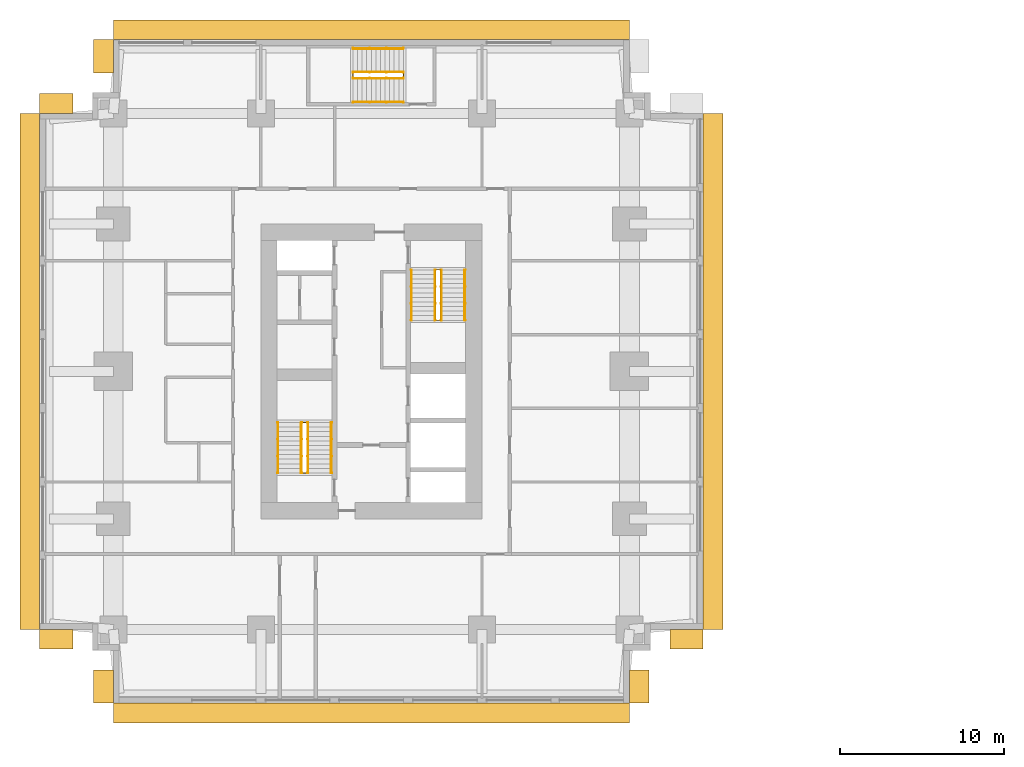
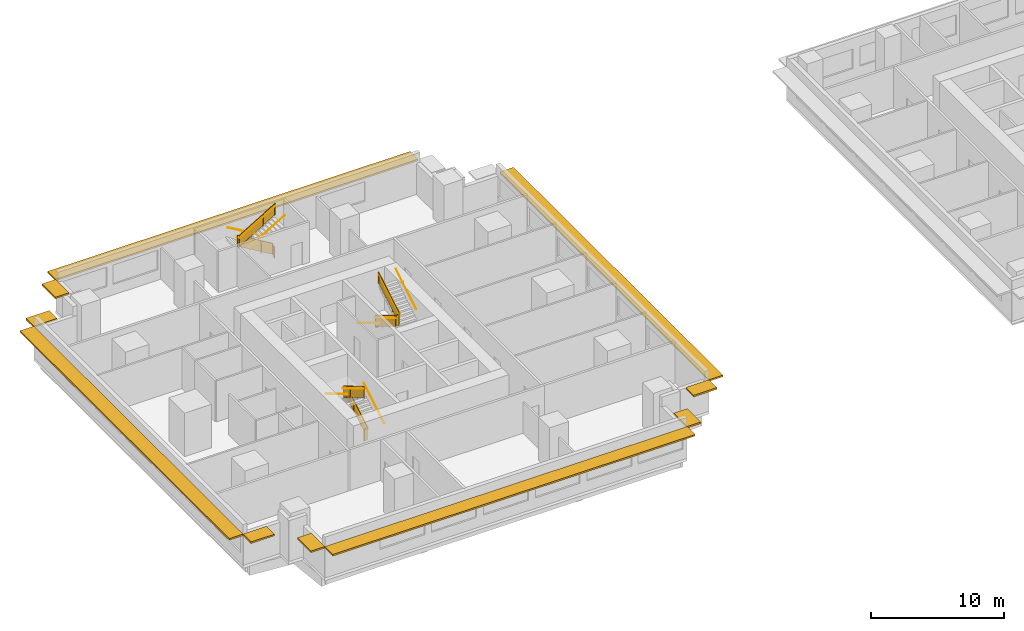
# One storey, part 10 of 11: 15 railings, 10 shading devices.
"""IFC4 building model written with IfcOpenShell, lengths in metres."""

from ifc_helpers import new_model, si_unit, direction, frame, origin, origin_2d, place, context, subcontext, project, spatial, polyline, rectangle, circle, outline, extrude, material, layer, layer_set, type_object, element, save


model = new_model("IFC4")

# Units and contexts
model_context = context("Model", 3, precision=1e-05, world=origin(), true_north=direction((0.0, 1.0)))
body_context = subcontext(model_context, "Body", "Model", "MODEL_VIEW")
ifc_project = project(units=[si_unit("LENGTHUNIT", "METRE"), si_unit("AREAUNIT", "SQUARE_METRE"), si_unit("VOLUMEUNIT", "CUBIC_METRE"), si_unit("PLANEANGLEUNIT", "RADIAN"), si_unit("MASSUNIT", "GRAM", prefix="KILO")], contexts=[model_context])

# Site, building, storey
site_placement = place(None, origin())
site = spatial("IfcSite", under=ifc_project, at=site_placement, CompositionType="ELEMENT")
building_placement = place(site_placement, origin())
building = spatial("IfcBuilding", under=site, at=building_placement, Name="Namib Vertical Campus", CompositionType="ELEMENT")
storey_placement = place(building_placement, frame((0.0, 0.0, 177.0)))
storey = spatial("IfcBuildingStorey", under=building, at=storey_placement, Name="L41", CompositionType="ELEMENT", Elevation=177.0)

# Railings
ifc_material_1 = material(Name="Steel handrail", Category="steel")
railing_type_1 = type_object("IfcRailingType", Name="Handrail 900", PredefinedType="HANDRAIL", material=ifc_material_1)
railing_1_placement = place(storey_placement, frame((17.800048828125, 14.050048828125, 0.166748046875)))
element("IfcRailing", 1, at=railing_1_placement, inside=storey, type_object=railing_type_1, Name="Handrail HR1 A-S1 L41 1", PredefinedType="HANDRAIL", context=body_context, shape_type="SweptSolid", body=[
    extrude(circle(Radius=0.02392578125, at=origin_2d()), frame((0.0, 0.0, 0.8759765625), z_axis=(0.0, 0.859290745958, 0.51148745235), x_axis=(-1.0, 0.0, 0.0)), (0.0, 0.0, 1.0), 3.584228515625),
    extrude(circle(Radius=0.008056640625, at=origin_2d()), frame((0.0, 0.0, 0.8759765625), z_axis=(1.0, 0.0, 0.0), x_axis=(0.0, 0.0, 1.0)), (0.0, 0.0, 1.0), 0.050048828125),
    extrude(circle(Radius=0.008056640625, at=origin_2d()), frame((0.0, 1.026611328125, 1.48681640625), z_axis=(1.0, 0.0, 0.0), x_axis=(0.0, 0.0, 1.0)), (0.0, 0.0, 1.0), 0.050048828125),
    extrude(circle(Radius=0.008056640625, at=origin_2d()), frame((0.0, 2.05322265625, 2.09814453125), z_axis=(1.0, 0.0, 0.0), x_axis=(0.0, 0.0, 1.0)), (0.0, 0.0, 1.0), 0.050048828125),
    extrude(circle(Radius=0.008056640625, at=origin_2d()), frame((0.0, 3.079833984375, 2.708984375), z_axis=(1.0, 0.0, 0.0), x_axis=(0.0, 0.0, 1.0)), (0.0, 0.0, 1.0), 0.050048828125),
])
railing_2_placement = place(storey_placement, frame((14.550048828125, 17.1298828125, 2.166748046875)))
element("IfcRailing", 2, at=railing_2_placement, inside=storey, type_object=railing_type_1, Name="Handrail HR1 A-S1 L41 2", PredefinedType="HANDRAIL", context=body_context, shape_type="SweptSolid", body=[
    extrude(circle(Radius=0.02392578125, at=origin_2d()), frame((0.0, 0.0, 0.8759765625), z_axis=(0.0, -0.859290745958, 0.51148745235), x_axis=(1.0, 0.0, 0.0)), (0.0, 0.0, 1.0), 3.584228515625),
    extrude(circle(Radius=0.008056640625, at=origin_2d()), frame((0.0, 0.0, 0.8759765625), z_axis=(-1.0, 0.0, 0.0), x_axis=(0.0, 0.0, 1.0)), (0.0, 0.0, 1.0), 0.050048828125),
    extrude(circle(Radius=0.008056640625, at=origin_2d()), frame((0.0, -1.026611328125, 1.48681640625), z_axis=(-1.0, 0.0, 0.0), x_axis=(0.0, 0.0, 1.0)), (0.0, 0.0, 1.0), 0.050048828125),
    extrude(circle(Radius=0.008056640625, at=origin_2d()), frame((0.0, -2.05322265625, 2.09814453125), z_axis=(-1.0, 0.0, 0.0), x_axis=(0.0, 0.0, 1.0)), (0.0, 0.0, 1.0), 0.050048828125),
    extrude(circle(Radius=0.008056640625, at=origin_2d()), frame((0.0, -3.079833984375, 2.708984375), z_axis=(-1.0, 0.0, 0.0), x_axis=(0.0, 0.0, 1.0)), (0.0, 0.0, 1.0), 0.050048828125),
])
railing_3_placement = place(storey_placement, frame((16.375, 14.050048828125, 0.166748046875)))
element("IfcRailing", 3, at=railing_3_placement, inside=storey, type_object=railing_type_1, Name="Handrail HR1 A-S1 L41 1 at the well", PredefinedType="HANDRAIL", context=body_context, shape_type="SweptSolid", body=[
    extrude(circle(Radius=0.02392578125, at=origin_2d()), frame((0.0, 0.0, 0.8759765625), z_axis=(0.0, 0.859290745958, 0.51148745235), x_axis=(-1.0, 0.0, 0.0)), (0.0, 0.0, 1.0), 3.584228515625),
    extrude(circle(Radius=0.008056640625, at=origin_2d()), frame((0.0, 0.0, 0.8759765625), z_axis=(-1.0, 0.0, 0.0), x_axis=(0.0, 0.0, 1.0)), (0.0, 0.0, 1.0), 0.0400390625),
    extrude(circle(Radius=0.008056640625, at=origin_2d()), frame((0.0, 1.026611328125, 1.48681640625), z_axis=(-1.0, 0.0, 0.0), x_axis=(0.0, 0.0, 1.0)), (0.0, 0.0, 1.0), 0.0400390625),
    extrude(circle(Radius=0.008056640625, at=origin_2d()), frame((0.0, 2.05322265625, 2.09814453125), z_axis=(-1.0, 0.0, 0.0), x_axis=(0.0, 0.0, 1.0)), (0.0, 0.0, 1.0), 0.0400390625),
    extrude(circle(Radius=0.008056640625, at=origin_2d()), frame((0.0, 3.079833984375, 2.708984375), z_axis=(-1.0, 0.0, 0.0), x_axis=(0.0, 0.0, 1.0)), (0.0, 0.0, 1.0), 0.0400390625),
])
railing_4_placement = place(storey_placement, frame((15.97509765625, 17.1298828125, 2.166748046875)))
element("IfcRailing", 4, at=railing_4_placement, inside=storey, type_object=railing_type_1, Name="Handrail HR1 A-S1 L41 2 at the well", PredefinedType="HANDRAIL", context=body_context, shape_type="SweptSolid", body=[
    extrude(circle(Radius=0.02392578125, at=origin_2d()), frame((0.0, 0.0, 0.8759765625), z_axis=(0.0, -0.859290745958, 0.51148745235), x_axis=(1.0, 0.0, 0.0)), (0.0, 0.0, 1.0), 3.584228515625),
    extrude(circle(Radius=0.008056640625, at=origin_2d()), frame((0.0, 0.0, 0.8759765625), z_axis=(1.0, 0.0, 0.0), x_axis=(0.0, 0.0, 1.0)), (0.0, 0.0, 1.0), 0.0400390625),
    extrude(circle(Radius=0.008056640625, at=origin_2d()), frame((0.0, -1.026611328125, 1.48681640625), z_axis=(1.0, 0.0, 0.0), x_axis=(0.0, 0.0, 1.0)), (0.0, 0.0, 1.0), 0.0400390625),
    extrude(circle(Radius=0.008056640625, at=origin_2d()), frame((0.0, -2.05322265625, 2.09814453125), z_axis=(1.0, 0.0, 0.0), x_axis=(0.0, 0.0, 1.0)), (0.0, 0.0, 1.0), 0.0400390625),
    extrude(circle(Radius=0.008056640625, at=origin_2d()), frame((0.0, -3.079833984375, 2.708984375), z_axis=(1.0, 0.0, 0.0), x_axis=(0.0, 0.0, 1.0)), (0.0, 0.0, 1.0), 0.0400390625),
])
railing_5_placement = place(storey_placement, frame((22.699951171875, 26.449951171875, 0.166748046875)))
element("IfcRailing", 5, at=railing_5_placement, inside=storey, type_object=railing_type_1, Name="Handrail HR1 A-S2 L41 1", PredefinedType="HANDRAIL", context=body_context, shape_type="SweptSolid", body=[
    extrude(circle(Radius=0.02392578125, at=origin_2d()), frame((0.0, 0.0, 0.8759765625), z_axis=(0.0, -0.859290745958, 0.51148745235), x_axis=(1.0, 0.0, 0.0)), (0.0, 0.0, 1.0), 3.584228515625),
    extrude(circle(Radius=0.008056640625, at=origin_2d()), frame((0.0, 0.0, 0.8759765625), z_axis=(-1.0, 0.0, 0.0), x_axis=(0.0, 0.0, 1.0)), (0.0, 0.0, 1.0), 0.050048828125),
    extrude(circle(Radius=0.008056640625, at=origin_2d()), frame((0.0, -1.026611328125, 1.48681640625), z_axis=(-1.0, 0.0, 0.0), x_axis=(0.0, 0.0, 1.0)), (0.0, 0.0, 1.0), 0.050048828125),
    extrude(circle(Radius=0.008056640625, at=origin_2d()), frame((0.0, -2.05322265625, 2.09814453125), z_axis=(-1.0, 0.0, 0.0), x_axis=(0.0, 0.0, 1.0)), (0.0, 0.0, 1.0), 0.050048828125),
    extrude(circle(Radius=0.008056640625, at=origin_2d()), frame((0.0, -3.079833984375, 2.708984375), z_axis=(-1.0, 0.0, 0.0), x_axis=(0.0, 0.0, 1.0)), (0.0, 0.0, 1.0), 0.050048828125),
])
railing_6_placement = place(storey_placement, frame((25.949951171875, 23.3701171875, 2.166748046875)))
element("IfcRailing", 6, at=railing_6_placement, inside=storey, type_object=railing_type_1, Name="Handrail HR1 A-S2 L41 2", PredefinedType="HANDRAIL", context=body_context, shape_type="SweptSolid", body=[
    extrude(circle(Radius=0.02392578125, at=origin_2d()), frame((0.0, 0.0, 0.8759765625), z_axis=(0.0, 0.859290745958, 0.51148745235), x_axis=(-1.0, 0.0, 0.0)), (0.0, 0.0, 1.0), 3.584228515625),
    extrude(circle(Radius=0.008056640625, at=origin_2d()), frame((0.0, 0.0, 0.8759765625), z_axis=(1.0, 0.0, 0.0), x_axis=(0.0, 0.0, 1.0)), (0.0, 0.0, 1.0), 0.050048828125),
    extrude(circle(Radius=0.008056640625, at=origin_2d()), frame((0.0, 1.026611328125, 1.48681640625), z_axis=(1.0, 0.0, 0.0), x_axis=(0.0, 0.0, 1.0)), (0.0, 0.0, 1.0), 0.050048828125),
    extrude(circle(Radius=0.008056640625, at=origin_2d()), frame((0.0, 2.05322265625, 2.09814453125), z_axis=(1.0, 0.0, 0.0), x_axis=(0.0, 0.0, 1.0)), (0.0, 0.0, 1.0), 0.050048828125),
    extrude(circle(Radius=0.008056640625, at=origin_2d()), frame((0.0, 3.079833984375, 2.708984375), z_axis=(1.0, 0.0, 0.0), x_axis=(0.0, 0.0, 1.0)), (0.0, 0.0, 1.0), 0.050048828125),
])
railing_7_placement = place(storey_placement, frame((24.125, 26.449951171875, 0.166748046875)))
element("IfcRailing", 7, at=railing_7_placement, inside=storey, type_object=railing_type_1, Name="Handrail HR1 A-S2 L41 1 at the well", PredefinedType="HANDRAIL", context=body_context, shape_type="SweptSolid", body=[
    extrude(circle(Radius=0.02392578125, at=origin_2d()), frame((0.0, 0.0, 0.8759765625), z_axis=(0.0, -0.859290745958, 0.51148745235), x_axis=(1.0, 0.0, 0.0)), (0.0, 0.0, 1.0), 3.584228515625),
    extrude(circle(Radius=0.008056640625, at=origin_2d()), frame((0.0, 0.0, 0.8759765625), z_axis=(1.0, 0.0, 0.0), x_axis=(0.0, 0.0, 1.0)), (0.0, 0.0, 1.0), 0.0400390625),
    extrude(circle(Radius=0.008056640625, at=origin_2d()), frame((0.0, -1.026611328125, 1.48681640625), z_axis=(1.0, 0.0, 0.0), x_axis=(0.0, 0.0, 1.0)), (0.0, 0.0, 1.0), 0.0400390625),
    extrude(circle(Radius=0.008056640625, at=origin_2d()), frame((0.0, -2.05322265625, 2.09814453125), z_axis=(1.0, 0.0, 0.0), x_axis=(0.0, 0.0, 1.0)), (0.0, 0.0, 1.0), 0.0400390625),
    extrude(circle(Radius=0.008056640625, at=origin_2d()), frame((0.0, -3.079833984375, 2.708984375), z_axis=(1.0, 0.0, 0.0), x_axis=(0.0, 0.0, 1.0)), (0.0, 0.0, 1.0), 0.0400390625),
])
railing_8_placement = place(storey_placement, frame((24.52490234375, 23.3701171875, 2.166748046875)))
element("IfcRailing", 8, at=railing_8_placement, inside=storey, type_object=railing_type_1, Name="Handrail HR1 A-S2 L41 2 at the well", PredefinedType="HANDRAIL", context=body_context, shape_type="SweptSolid", body=[
    extrude(circle(Radius=0.02392578125, at=origin_2d()), frame((0.0, 0.0, 0.8759765625), z_axis=(0.0, 0.859290745958, 0.51148745235), x_axis=(-1.0, 0.0, 0.0)), (0.0, 0.0, 1.0), 3.584228515625),
    extrude(circle(Radius=0.008056640625, at=origin_2d()), frame((0.0, 0.0, 0.8759765625), z_axis=(-1.0, 0.0, 0.0), x_axis=(0.0, 0.0, 1.0)), (0.0, 0.0, 1.0), 0.0400390625),
    extrude(circle(Radius=0.008056640625, at=origin_2d()), frame((0.0, 1.026611328125, 1.48681640625), z_axis=(-1.0, 0.0, 0.0), x_axis=(0.0, 0.0, 1.0)), (0.0, 0.0, 1.0), 0.0400390625),
    extrude(circle(Radius=0.008056640625, at=origin_2d()), frame((0.0, 2.05322265625, 2.09814453125), z_axis=(-1.0, 0.0, 0.0), x_axis=(0.0, 0.0, 1.0)), (0.0, 0.0, 1.0), 0.0400390625),
    extrude(circle(Radius=0.008056640625, at=origin_2d()), frame((0.0, 3.079833984375, 2.708984375), z_axis=(-1.0, 0.0, 0.0), x_axis=(0.0, 0.0, 1.0)), (0.0, 0.0, 1.0), 0.0400390625),
])
railing_9_placement = place(storey_placement, frame((22.199951171875, 39.949951171875, 0.166748046875)))
element("IfcRailing", 9, at=railing_9_placement, inside=storey, type_object=railing_type_1, Name="Handrail HR1 A-S3 L41 1", PredefinedType="HANDRAIL", context=body_context, shape_type="SweptSolid", body=[
    extrude(circle(Radius=0.02392578125, at=origin_2d()), frame((0.0, 0.0, 0.8759765625), z_axis=(-0.859290745958, 0.0, 0.51148745235), x_axis=(0.0, -1.0, 0.0)), (0.0, 0.0, 1.0), 3.584228515625),
    extrude(circle(Radius=0.008056640625, at=origin_2d()), frame((0.0, 0.0, 0.8759765625), z_axis=(0.0, 1.0, 0.0), x_axis=(0.0, 0.0, 1.0)), (0.0, 0.0, 1.0), 0.050048828125),
    extrude(circle(Radius=0.008056640625, at=origin_2d()), frame((-1.026611328125, 0.0, 1.48681640625), z_axis=(0.0, 1.0, 0.0), x_axis=(0.0, 0.0, 1.0)), (0.0, 0.0, 1.0), 0.050048828125),
    extrude(circle(Radius=0.008056640625, at=origin_2d()), frame((-2.05322265625, 0.0, 2.09814453125), z_axis=(0.0, 1.0, 0.0), x_axis=(0.0, 0.0, 1.0)), (0.0, 0.0, 1.0), 0.050048828125),
    extrude(circle(Radius=0.008056640625, at=origin_2d()), frame((-3.079833984375, 0.0, 2.708984375), z_axis=(0.0, 1.0, 0.0), x_axis=(0.0, 0.0, 1.0)), (0.0, 0.0, 1.0), 0.050048828125),
])
railing_10_placement = place(storey_placement, frame((19.1201171875, 36.699951171875, 2.166748046875)))
element("IfcRailing", 10, at=railing_10_placement, inside=storey, type_object=railing_type_1, Name="Handrail HR1 A-S3 L41 2", PredefinedType="HANDRAIL", context=body_context, shape_type="SweptSolid", body=[
    extrude(circle(Radius=0.02392578125, at=origin_2d()), frame((0.0, 0.0, 0.8759765625), z_axis=(0.859290745958, 0.0, 0.51148745235), x_axis=(0.0, 1.0, 0.0)), (0.0, 0.0, 1.0), 3.584228515625),
    extrude(circle(Radius=0.008056640625, at=origin_2d()), frame((0.0, 0.0, 0.8759765625), z_axis=(0.0, -1.0, 0.0), x_axis=(0.0, 0.0, 1.0)), (0.0, 0.0, 1.0), 0.050048828125),
    extrude(circle(Radius=0.008056640625, at=origin_2d()), frame((1.026611328125, 0.0, 1.48681640625), z_axis=(0.0, -1.0, 0.0), x_axis=(0.0, 0.0, 1.0)), (0.0, 0.0, 1.0), 0.050048828125),
    extrude(circle(Radius=0.008056640625, at=origin_2d()), frame((2.05322265625, 0.0, 2.09814453125), z_axis=(0.0, -1.0, 0.0), x_axis=(0.0, 0.0, 1.0)), (0.0, 0.0, 1.0), 0.050048828125),
    extrude(circle(Radius=0.008056640625, at=origin_2d()), frame((3.079833984375, 0.0, 2.708984375), z_axis=(0.0, -1.0, 0.0), x_axis=(0.0, 0.0, 1.0)), (0.0, 0.0, 1.0), 0.050048828125),
])
railing_11_placement = place(storey_placement, frame((22.199951171875, 38.52490234375, 0.166748046875)))
element("IfcRailing", 11, at=railing_11_placement, inside=storey, type_object=railing_type_1, Name="Handrail HR1 A-S3 L41 1 at the well", PredefinedType="HANDRAIL", context=body_context, shape_type="SweptSolid", body=[
    extrude(circle(Radius=0.02392578125, at=origin_2d()), frame((0.0, 0.0, 0.8759765625), z_axis=(-0.859290745958, 0.0, 0.51148745235), x_axis=(0.0, -1.0, 0.0)), (0.0, 0.0, 1.0), 3.584228515625),
    extrude(circle(Radius=0.008056640625, at=origin_2d()), frame((0.0, 0.0, 0.8759765625), z_axis=(0.0, -1.0, 0.0), x_axis=(0.0, 0.0, 1.0)), (0.0, 0.0, 1.0), 0.0400390625),
    extrude(circle(Radius=0.008056640625, at=origin_2d()), frame((-1.026611328125, 0.0, 1.48681640625), z_axis=(0.0, -1.0, 0.0), x_axis=(0.0, 0.0, 1.0)), (0.0, 0.0, 1.0), 0.0400390625),
    extrude(circle(Radius=0.008056640625, at=origin_2d()), frame((-2.05322265625, 0.0, 2.09814453125), z_axis=(0.0, -1.0, 0.0), x_axis=(0.0, 0.0, 1.0)), (0.0, 0.0, 1.0), 0.0400390625),
    extrude(circle(Radius=0.008056640625, at=origin_2d()), frame((-3.079833984375, 0.0, 2.708984375), z_axis=(0.0, -1.0, 0.0), x_axis=(0.0, 0.0, 1.0)), (0.0, 0.0, 1.0), 0.0400390625),
])
railing_12_placement = place(storey_placement, frame((19.1201171875, 38.125, 2.166748046875)))
element("IfcRailing", 12, at=railing_12_placement, inside=storey, type_object=railing_type_1, Name="Handrail HR1 A-S3 L41 2 at the well", PredefinedType="HANDRAIL", context=body_context, shape_type="SweptSolid", body=[
    extrude(circle(Radius=0.02392578125, at=origin_2d()), frame((0.0, 0.0, 0.8759765625), z_axis=(0.859290745958, 0.0, 0.51148745235), x_axis=(0.0, 1.0, 0.0)), (0.0, 0.0, 1.0), 3.584228515625),
    extrude(circle(Radius=0.008056640625, at=origin_2d()), frame((0.0, 0.0, 0.8759765625), z_axis=(0.0, 1.0, 0.0), x_axis=(0.0, 0.0, 1.0)), (0.0, 0.0, 1.0), 0.0400390625),
    extrude(circle(Radius=0.008056640625, at=origin_2d()), frame((1.026611328125, 0.0, 1.48681640625), z_axis=(0.0, 1.0, 0.0), x_axis=(0.0, 0.0, 1.0)), (0.0, 0.0, 1.0), 0.0400390625),
    extrude(circle(Radius=0.008056640625, at=origin_2d()), frame((2.05322265625, 0.0, 2.09814453125), z_axis=(0.0, 1.0, 0.0), x_axis=(0.0, 0.0, 1.0)), (0.0, 0.0, 1.0), 0.0400390625),
    extrude(circle(Radius=0.008056640625, at=origin_2d()), frame((3.079833984375, 0.0, 2.708984375), z_axis=(0.0, 1.0, 0.0), x_axis=(0.0, 0.0, 1.0)), (0.0, 0.0, 1.0), 0.0400390625),
])
ifc_material_2 = material(Name="Steel balustrade", Category="steel")
railing_type_2 = type_object("IfcRailingType", Name="Stair guard 1100", PredefinedType="GUARDRAIL", material=ifc_material_2)
railing_13_placement = place(storey_placement, frame((16.02490234375, 14.050048828125, 0.0)))
element("IfcRailing", 13, at=railing_13_placement, inside=storey, type_object=railing_type_2, Name="Stair guard GR1 A-S1 L41", PredefinedType="GUARDRAIL", context=body_context, shape_type="SweptSolid", body=[
    extrude(circle(Radius=0.02392578125, at=origin_2d()), frame((0.0, 0.0, 1.076171875), z_axis=(1.0, 0.0, 0.0), x_axis=(0.0, 1.0, 0.0)), (0.0, 0.0, 1.0), 0.300048828125),
    extrude(outline(polyline([(0.02099609375, 0.050048828125), (0.279052734375, 0.050048828125), (0.279052734375, 1.052001953125), (0.02099609375, 1.052001953125), (0.02099609375, 0.050048828125)])), frame((0.0, 0.010009765625, 0.0), z_axis=(0.0, -1.0, 0.0), x_axis=(1.0, 0.0, 0.0)), (0.0, 0.0, 1.0), 0.02001953125),
    extrude(circle(Radius=0.02392578125, at=origin_2d()), frame((0.300048828125, 0.0, 1.076171875), z_axis=(0.0, 0.0, 1.0), x_axis=(1.0, 0.0, 0.0)), (0.0, 0.0, 1.0), 0.166748046875),
    extrude(circle(Radius=0.02392578125, at=origin_2d()), frame((0.300048828125, 0.0, 1.24267578125), z_axis=(0.0, 0.859290745958, 0.51148745235), x_axis=(-1.0, 0.0, 0.0)), (0.0, 0.0, 1.0), 3.584228515625),
    extrude(outline(polyline([(0.02099609375, 0.0625), (3.058837890625, 1.870849609375), (3.058837890625, 2.872802734375), (0.02099609375, 1.064453125), (0.02099609375, 0.0625)])), frame((0.2900390625, 0.0, 0.166748046875), z_axis=(1.0, 0.0, 0.0), x_axis=(0.0, 1.0, 0.0)), (0.0, 0.0, 1.0), 0.02001953125),
    extrude(circle(Radius=0.02392578125, at=origin_2d()), frame((0.300048828125, 3.079833984375, 3.076171875), z_axis=(-1.0, 0.0, 0.0), x_axis=(0.0, -1.0, 0.0)), (0.0, 0.0, 1.0), 0.300048828125),
    extrude(outline(polyline([(0.02099609375, 0.050048828125), (0.279052734375, 0.050048828125), (0.279052734375, 1.052001953125), (0.02099609375, 1.052001953125), (0.02099609375, 0.050048828125)])), frame((0.300048828125, 3.06982421875, 2.0), z_axis=(0.0, 1.0, 0.0), x_axis=(-1.0, 0.0, 0.0)), (0.0, 0.0, 1.0), 0.02001953125),
    extrude(circle(Radius=0.02392578125, at=origin_2d()), frame((0.0, 3.079833984375, 3.076171875), z_axis=(0.0, 0.0, 1.0), x_axis=(1.0, 0.0, 0.0)), (0.0, 0.0, 1.0), 0.166748046875),
    extrude(circle(Radius=0.02392578125, at=origin_2d()), frame((0.0, 3.079833984375, 3.24267578125), z_axis=(0.0, -0.859290745958, 0.51148745235), x_axis=(1.0, 0.0, 0.0)), (0.0, 0.0, 1.0), 3.584228515625),
    extrude(outline(polyline([(0.02099609375, 0.0625), (3.058837890625, 1.870849609375), (3.058837890625, 2.872802734375), (0.02099609375, 1.064453125), (0.02099609375, 0.0625)])), frame((0.010009765625, 3.079833984375, 2.166748046875), z_axis=(-1.0, 0.0, 0.0), x_axis=(0.0, -1.0, 0.0)), (0.0, 0.0, 1.0), 0.02001953125),
    extrude(circle(Radius=0.02392578125, at=origin_2d()), frame((0.0, 0.0, 5.076171875), z_axis=(0.0, -1.0, 0.0), x_axis=(1.0, 0.0, 0.0)), (0.0, 0.0, 1.0), 0.050048828125),
    extrude(outline(polyline([(0.02099609375, 0.050048828125), (0.029052734375, 0.050048828125), (0.029052734375, 1.052001953125), (0.02099609375, 1.052001953125), (0.02099609375, 0.050048828125)])), frame((0.010009765625, 0.0, 4.0), z_axis=(-1.0, 0.0, 0.0), x_axis=(0.0, -1.0, 0.0)), (0.0, 0.0, 1.0), 0.02001953125),
    extrude(circle(Radius=0.02099609375, at=origin_2d()), origin(), (0.0, 0.0, 1.0), 1.052001953125),
    extrude(circle(Radius=0.02099609375, at=origin_2d()), frame((0.300048828125, 0.0, 0.166748046875)), (0.0, 0.0, 1.0), 1.052001953125),
    extrude(circle(Radius=0.02099609375, at=origin_2d()), frame((0.300048828125, 1.026611328125, 0.666748046875)), (0.0, 0.0, 1.0), 1.1630859375),
    extrude(circle(Radius=0.02099609375, at=origin_2d()), frame((0.300048828125, 2.05322265625, 1.33349609375)), (0.0, 0.0, 1.0), 1.107421875),
    extrude(circle(Radius=0.02099609375, at=origin_2d()), frame((0.300048828125, 3.079833984375, 2.0)), (0.0, 0.0, 1.0), 1.052001953125),
    extrude(circle(Radius=0.02099609375, at=origin_2d()), frame((0.0, 3.079833984375, 2.166748046875)), (0.0, 0.0, 1.0), 1.052001953125),
    extrude(circle(Radius=0.02099609375, at=origin_2d()), frame((0.0, 2.05322265625, 2.666748046875)), (0.0, 0.0, 1.0), 1.1630859375),
    extrude(circle(Radius=0.02099609375, at=origin_2d()), frame((0.0, 1.026611328125, 3.33349609375)), (0.0, 0.0, 1.0), 1.107421875),
    extrude(circle(Radius=0.02099609375, at=origin_2d()), frame((0.0, 0.0, 4.0)), (0.0, 0.0, 1.0), 1.052001953125),
    extrude(circle(Radius=0.02099609375, at=origin_2d()), frame((0.0, -0.050048828125, 4.0)), (0.0, 0.0, 1.0), 1.052001953125),
])
railing_14_placement = place(storey_placement, frame((24.47509765625, 26.449951171875, 0.0)))
element("IfcRailing", 14, at=railing_14_placement, inside=storey, type_object=railing_type_2, Name="Stair guard GR1 A-S2 L41", PredefinedType="GUARDRAIL", context=body_context, shape_type="SweptSolid", body=[
    extrude(circle(Radius=0.02392578125, at=origin_2d()), frame((0.0, 0.0, 1.076171875), z_axis=(-1.0, 0.0, 0.0), x_axis=(0.0, -1.0, 0.0)), (0.0, 0.0, 1.0), 0.300048828125),
    extrude(outline(polyline([(0.02099609375, 0.050048828125), (0.279052734375, 0.050048828125), (0.279052734375, 1.052001953125), (0.02099609375, 1.052001953125), (0.02099609375, 0.050048828125)])), frame((0.0, -0.010009765625, 0.0), z_axis=(0.0, 1.0, 0.0), x_axis=(-1.0, 0.0, 0.0)), (0.0, 0.0, 1.0), 0.02001953125),
    extrude(circle(Radius=0.02392578125, at=origin_2d()), frame((-0.300048828125, 0.0, 1.076171875), z_axis=(0.0, 0.0, 1.0), x_axis=(1.0, 0.0, 0.0)), (0.0, 0.0, 1.0), 0.166748046875),
    extrude(circle(Radius=0.02392578125, at=origin_2d()), frame((-0.300048828125, 0.0, 1.24267578125), z_axis=(0.0, -0.859290745958, 0.51148745235), x_axis=(1.0, 0.0, 0.0)), (0.0, 0.0, 1.0), 3.584228515625),
    extrude(outline(polyline([(0.02099609375, 0.0625), (3.058837890625, 1.870849609375), (3.058837890625, 2.872802734375), (0.02099609375, 1.064453125), (0.02099609375, 0.0625)])), frame((-0.2900390625, 0.0, 0.166748046875), z_axis=(-1.0, 0.0, 0.0), x_axis=(0.0, -1.0, 0.0)), (0.0, 0.0, 1.0), 0.02001953125),
    extrude(circle(Radius=0.02392578125, at=origin_2d()), frame((-0.300048828125, -3.079833984375, 3.076171875), z_axis=(1.0, 0.0, 0.0), x_axis=(0.0, 1.0, 0.0)), (0.0, 0.0, 1.0), 0.300048828125),
    extrude(outline(polyline([(0.02099609375, 0.050048828125), (0.279052734375, 0.050048828125), (0.279052734375, 1.052001953125), (0.02099609375, 1.052001953125), (0.02099609375, 0.050048828125)])), frame((-0.300048828125, -3.06982421875, 2.0), z_axis=(0.0, -1.0, 0.0), x_axis=(1.0, 0.0, 0.0)), (0.0, 0.0, 1.0), 0.02001953125),
    extrude(circle(Radius=0.02392578125, at=origin_2d()), frame((0.0, -3.079833984375, 3.076171875), z_axis=(0.0, 0.0, 1.0), x_axis=(1.0, 0.0, 0.0)), (0.0, 0.0, 1.0), 0.166748046875),
    extrude(circle(Radius=0.02392578125, at=origin_2d()), frame((0.0, -3.079833984375, 3.24267578125), z_axis=(0.0, 0.859290745958, 0.51148745235), x_axis=(-1.0, 0.0, 0.0)), (0.0, 0.0, 1.0), 3.584228515625),
    extrude(outline(polyline([(0.02099609375, 0.0625), (3.058837890625, 1.870849609375), (3.058837890625, 2.872802734375), (0.02099609375, 1.064453125), (0.02099609375, 0.0625)])), frame((-0.010009765625, -3.079833984375, 2.166748046875), z_axis=(1.0, 0.0, 0.0), x_axis=(0.0, 1.0, 0.0)), (0.0, 0.0, 1.0), 0.02001953125),
    extrude(circle(Radius=0.02392578125, at=origin_2d()), frame((0.0, 0.0, 5.076171875), z_axis=(0.0, 1.0, 0.0), x_axis=(-1.0, 0.0, 0.0)), (0.0, 0.0, 1.0), 0.050048828125),
    extrude(outline(polyline([(0.02099609375, 0.050048828125), (0.029052734375, 0.050048828125), (0.029052734375, 1.052001953125), (0.02099609375, 1.052001953125), (0.02099609375, 0.050048828125)])), frame((-0.010009765625, 0.0, 4.0), z_axis=(1.0, 0.0, 0.0), x_axis=(0.0, 1.0, 0.0)), (0.0, 0.0, 1.0), 0.02001953125),
    extrude(circle(Radius=0.02099609375, at=origin_2d()), origin(), (0.0, 0.0, 1.0), 1.052001953125),
    extrude(circle(Radius=0.02099609375, at=origin_2d()), frame((-0.300048828125, 0.0, 0.166748046875)), (0.0, 0.0, 1.0), 1.052001953125),
    extrude(circle(Radius=0.02099609375, at=origin_2d()), frame((-0.300048828125, -1.026611328125, 0.666748046875)), (0.0, 0.0, 1.0), 1.1630859375),
    extrude(circle(Radius=0.02099609375, at=origin_2d()), frame((-0.300048828125, -2.05322265625, 1.33349609375)), (0.0, 0.0, 1.0), 1.107421875),
    extrude(circle(Radius=0.02099609375, at=origin_2d()), frame((-0.300048828125, -3.079833984375, 2.0)), (0.0, 0.0, 1.0), 1.052001953125),
    extrude(circle(Radius=0.02099609375, at=origin_2d()), frame((0.0, -3.079833984375, 2.166748046875)), (0.0, 0.0, 1.0), 1.052001953125),
    extrude(circle(Radius=0.02099609375, at=origin_2d()), frame((0.0, -2.05322265625, 2.666748046875)), (0.0, 0.0, 1.0), 1.1630859375),
    extrude(circle(Radius=0.02099609375, at=origin_2d()), frame((0.0, -1.026611328125, 3.33349609375)), (0.0, 0.0, 1.0), 1.107421875),
    extrude(circle(Radius=0.02099609375, at=origin_2d()), frame((0.0, 0.0, 4.0)), (0.0, 0.0, 1.0), 1.052001953125),
    extrude(circle(Radius=0.02099609375, at=origin_2d()), frame((0.0, 0.050048828125, 4.0)), (0.0, 0.0, 1.0), 1.052001953125),
])
railing_15_placement = place(storey_placement, frame((22.199951171875, 38.175048828125, 0.0)))
element("IfcRailing", 15, at=railing_15_placement, inside=storey, type_object=railing_type_2, Name="Stair guard GR1 A-S3 L41", PredefinedType="GUARDRAIL", context=body_context, shape_type="SweptSolid", body=[
    extrude(circle(Radius=0.02392578125, at=origin_2d()), frame((0.0, 0.0, 1.076171875), z_axis=(0.0, 1.0, 0.0), x_axis=(-1.0, 0.0, 0.0)), (0.0, 0.0, 1.0), 0.300048828125),
    extrude(outline(polyline([(0.02099609375, 0.050048828125), (0.279052734375, 0.050048828125), (0.279052734375, 1.052001953125), (0.02099609375, 1.052001953125), (0.02099609375, 0.050048828125)])), frame((-0.010009765625, 0.0, 0.0), z_axis=(1.0, 0.0, 0.0), x_axis=(0.0, 1.0, 0.0)), (0.0, 0.0, 1.0), 0.02001953125),
    extrude(circle(Radius=0.02392578125, at=origin_2d()), frame((0.0, 0.300048828125, 1.076171875), z_axis=(0.0, 0.0, 1.0), x_axis=(1.0, 0.0, 0.0)), (0.0, 0.0, 1.0), 0.166748046875),
    extrude(circle(Radius=0.02392578125, at=origin_2d()), frame((0.0, 0.300048828125, 1.24267578125), z_axis=(-0.859290745958, 0.0, 0.51148745235), x_axis=(0.0, -1.0, 0.0)), (0.0, 0.0, 1.0), 3.584228515625),
    extrude(outline(polyline([(0.02099609375, 0.0625), (3.058837890625, 1.870849609375), (3.058837890625, 2.872802734375), (0.02099609375, 1.064453125), (0.02099609375, 0.0625)])), frame((0.0, 0.2900390625, 0.166748046875), z_axis=(0.0, 1.0, 0.0), x_axis=(-1.0, 0.0, 0.0)), (0.0, 0.0, 1.0), 0.02001953125),
    extrude(circle(Radius=0.02392578125, at=origin_2d()), frame((-3.079833984375, 0.300048828125, 3.076171875), z_axis=(0.0, -1.0, 0.0), x_axis=(1.0, 0.0, 0.0)), (0.0, 0.0, 1.0), 0.300048828125),
    extrude(outline(polyline([(0.02099609375, 0.050048828125), (0.279052734375, 0.050048828125), (0.279052734375, 1.052001953125), (0.02099609375, 1.052001953125), (0.02099609375, 0.050048828125)])), frame((-3.06982421875, 0.300048828125, 2.0), z_axis=(-1.0, 0.0, 0.0), x_axis=(0.0, -1.0, 0.0)), (0.0, 0.0, 1.0), 0.02001953125),
    extrude(circle(Radius=0.02392578125, at=origin_2d()), frame((-3.079833984375, 0.0, 3.076171875), z_axis=(0.0, 0.0, 1.0), x_axis=(1.0, 0.0, 0.0)), (0.0, 0.0, 1.0), 0.166748046875),
    extrude(circle(Radius=0.02392578125, at=origin_2d()), frame((-3.079833984375, 0.0, 3.24267578125), z_axis=(0.859290745958, 0.0, 0.51148745235), x_axis=(0.0, 1.0, 0.0)), (0.0, 0.0, 1.0), 3.584228515625),
    extrude(outline(polyline([(0.02099609375, 0.0625), (3.058837890625, 1.870849609375), (3.058837890625, 2.872802734375), (0.02099609375, 1.064453125), (0.02099609375, 0.0625)])), frame((-3.079833984375, 0.010009765625, 2.166748046875), z_axis=(0.0, -1.0, 0.0), x_axis=(1.0, 0.0, 0.0)), (0.0, 0.0, 1.0), 0.02001953125),
    extrude(circle(Radius=0.02392578125, at=origin_2d()), frame((0.0, 0.0, 5.076171875), z_axis=(1.0, 0.0, 0.0), x_axis=(0.0, 1.0, 0.0)), (0.0, 0.0, 1.0), 0.050048828125),
    extrude(outline(polyline([(0.02099609375, 0.050048828125), (0.029052734375, 0.050048828125), (0.029052734375, 1.052001953125), (0.02099609375, 1.052001953125), (0.02099609375, 0.050048828125)])), frame((0.0, 0.010009765625, 4.0), z_axis=(0.0, -1.0, 0.0), x_axis=(1.0, 0.0, 0.0)), (0.0, 0.0, 1.0), 0.02001953125),
    extrude(circle(Radius=0.02099609375, at=origin_2d()), origin(), (0.0, 0.0, 1.0), 1.052001953125),
    extrude(circle(Radius=0.02099609375, at=origin_2d()), frame((0.0, 0.300048828125, 0.166748046875)), (0.0, 0.0, 1.0), 1.052001953125),
    extrude(circle(Radius=0.02099609375, at=origin_2d()), frame((-1.026611328125, 0.300048828125, 0.666748046875)), (0.0, 0.0, 1.0), 1.1630859375),
    extrude(circle(Radius=0.02099609375, at=origin_2d()), frame((-2.05322265625, 0.300048828125, 1.33349609375)), (0.0, 0.0, 1.0), 1.107421875),
    extrude(circle(Radius=0.02099609375, at=origin_2d()), frame((-3.079833984375, 0.300048828125, 2.0)), (0.0, 0.0, 1.0), 1.052001953125),
    extrude(circle(Radius=0.02099609375, at=origin_2d()), frame((-3.079833984375, 0.0, 2.166748046875)), (0.0, 0.0, 1.0), 1.052001953125),
    extrude(circle(Radius=0.02099609375, at=origin_2d()), frame((-2.05322265625, 0.0, 2.666748046875)), (0.0, 0.0, 1.0), 1.1630859375),
    extrude(circle(Radius=0.02099609375, at=origin_2d()), frame((-1.026611328125, 0.0, 3.33349609375)), (0.0, 0.0, 1.0), 1.107421875),
    extrude(circle(Radius=0.02099609375, at=origin_2d()), frame((0.0, 0.0, 4.0)), (0.0, 0.0, 1.0), 1.052001953125),
    extrude(circle(Radius=0.02099609375, at=origin_2d()), frame((0.050048828125, 0.0, 4.0)), (0.0, 0.0, 1.0), 1.052001953125),
])

# Shading devices
ifc_material_3 = material(Name="Concrete C40/50 precast", Category="concrete")
ifc_layer = layer(ifc_material_3, 0.14990234375)
ifc_layer_set = layer_set([ifc_layer], Name="Concrete C40/50 precast")
shading_device_type = type_object("IfcShadingDeviceType", Name="Sunshade hood 1200", PredefinedType="SHUTTER", material=ifc_layer_set)
shading_device_1_placement = place(storey_placement, frame((20.25, -0.60009765625, 2.75), z_axis=(0.0, 0.0, 1.0), x_axis=(1.0, 0.0, 0.0)))
element("IfcShadingDevice", 16, at=shading_device_1_placement, inside=storey, type_object=shading_device_type, Name="Sunshade SH2 L41 1", PredefinedType="SHUTTER", context=body_context, shape_type="SweptSolid", body=[
    extrude(rectangle(XDim=31.5, YDim=1.199951171875, at=origin_2d()), origin(), (0.0, 0.0, 1.0), 0.14990234375),
])
for number, where, z_axis, x_axis, name in (
    (17, (36.60009765625, 1.012451171875, 2.75), (0.0, 0.0, 1.0), (0.0, 1.0, 0.0), "Sunshade SH2 L41 2"),
    (18, (39.487548828125, 3.89990234375, 2.75), (0.0, 0.0, 1.0), (1.0, 0.0, 0.0), "Sunshade SH2 L41 5"),
):
    element("IfcShadingDevice", number, at=place(storey_placement, frame(where, z_axis=z_axis, x_axis=x_axis)), inside=storey, type_object=shading_device_type, Name=name, PredefinedType="SHUTTER", context=body_context, shape_type="SweptSolid", body=[
        extrude(rectangle(XDim=2.02490234375, YDim=1.199951171875, at=origin_2d()), origin(), (0.0, 0.0, 1.0), 0.14990234375),
    ])
for number, where, z_axis, x_axis, name in (
    (19, (41.10009765625, 20.25, 2.75), (0.0, 0.0, 1.0), (0.0, 1.0, 0.0), "Sunshade SH2 L41 6"),
    (20, (20.25, 41.10009765625, 2.75), (0.0, 0.0, 1.0), (-1.0, 0.0, 0.0), "Sunshade SH2 L41 11"),
):
    element("IfcShadingDevice", number, at=place(storey_placement, frame(where, z_axis=z_axis, x_axis=x_axis)), inside=storey, type_object=shading_device_type, Name=name, PredefinedType="SHUTTER", context=body_context, shape_type="SweptSolid", body=[
        extrude(rectangle(XDim=31.5, YDim=1.199951171875, at=origin_2d()), origin(), (0.0, 0.0, 1.0), 0.14990234375),
    ])
for number, where, z_axis, x_axis, name in (
    (21, (3.89990234375, 39.487548828125, 2.75), (0.0, 0.0, 1.0), (0.0, -1.0, 0.0), "Sunshade SH2 L41 12"),
    (22, (1.012451171875, 36.60009765625, 2.75), (0.0, 0.0, 1.0), (-1.0, 0.0, 0.0), "Sunshade SH2 L41 15"),
):
    element("IfcShadingDevice", number, at=place(storey_placement, frame(where, z_axis=z_axis, x_axis=x_axis)), inside=storey, type_object=shading_device_type, Name=name, PredefinedType="SHUTTER", context=body_context, shape_type="SweptSolid", body=[
        extrude(rectangle(XDim=2.02490234375, YDim=1.199951171875, at=origin_2d()), origin(), (0.0, 0.0, 1.0), 0.14990234375),
    ])
shading_device_2_placement = place(storey_placement, frame((-0.60009765625, 20.25, 2.75), z_axis=(0.0, 0.0, 1.0), x_axis=(0.0, -1.0, 0.0)))
element("IfcShadingDevice", 23, at=shading_device_2_placement, inside=storey, type_object=shading_device_type, Name="Sunshade SH2 L41 16", PredefinedType="SHUTTER", context=body_context, shape_type="SweptSolid", body=[
    extrude(rectangle(XDim=31.5, YDim=1.199951171875, at=origin_2d()), origin(), (0.0, 0.0, 1.0), 0.14990234375),
])
for number, where, z_axis, x_axis, name in (
    (24, (1.012451171875, 3.89990234375, 2.75), (0.0, 0.0, 1.0), (1.0, 0.0, 0.0), "Sunshade SH2 L41 17"),
    (25, (3.89990234375, 1.012451171875, 2.75), (0.0, 0.0, 1.0), (0.0, -1.0, 0.0), "Sunshade SH2 L41 20"),
):
    element("IfcShadingDevice", number, at=place(storey_placement, frame(where, z_axis=z_axis, x_axis=x_axis)), inside=storey, type_object=shading_device_type, Name=name, PredefinedType="SHUTTER", context=body_context, shape_type="SweptSolid", body=[
        extrude(rectangle(XDim=2.02490234375, YDim=1.199951171875, at=origin_2d()), origin(), (0.0, 0.0, 1.0), 0.14990234375),
    ])

save(model, "model.ifc")
